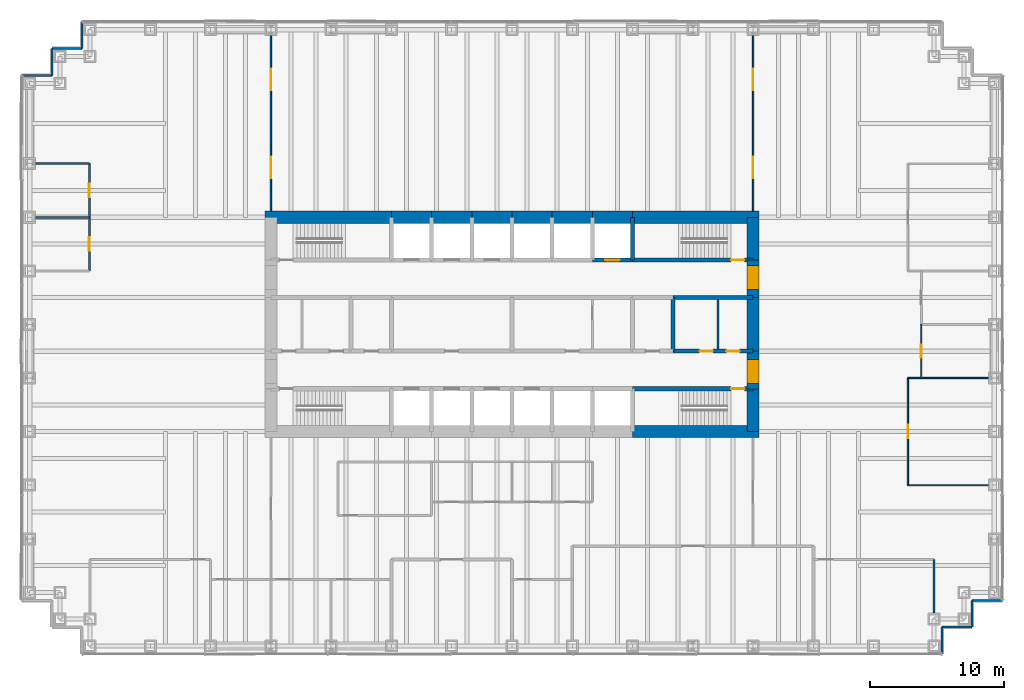
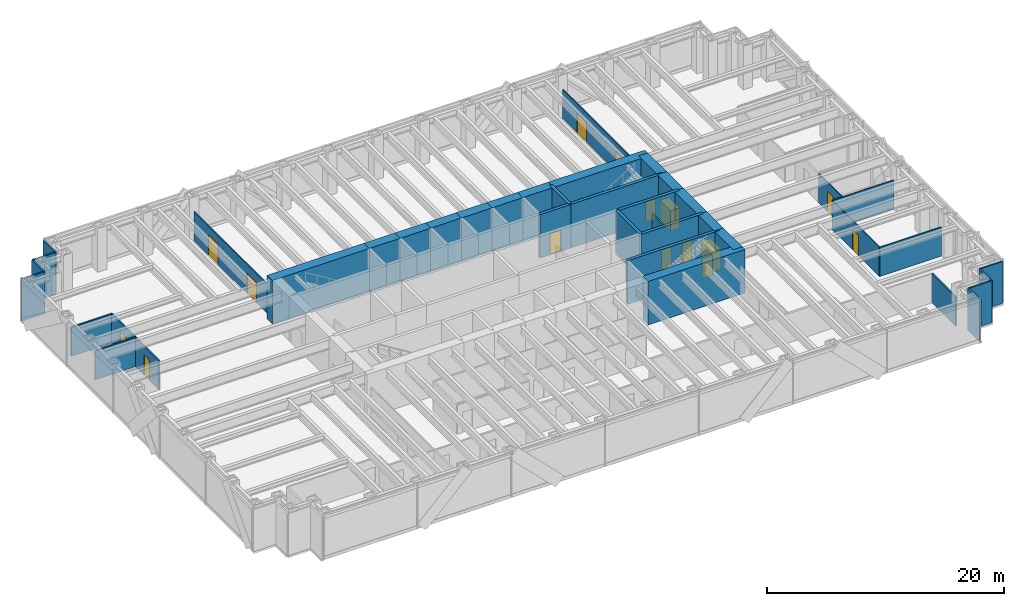
# One storey, part 11 of 13: 40 walls, 15 doors, 15 openings.
"""IFC4 building model written with IfcOpenShell, lengths in metres."""

import ifcopenshell
import ifcopenshell.guid

model = None  # the IFC model being written
_history = None  # IfcOwnerHistory: only IFC2X3 demands one
_inside = {}  # id of a spatial element -> (the spatial element, [elements in it])
_under = {}  # id of a project, library or spatial element -> (it, [spatial elements below it])
_declared = {}  # id of a project -> (the project, [libraries it declares])
_typed = {}  # id of a type object -> (the type object, [elements of that type])
_made_of = {}  # id of a material, layer set ... -> (it, [elements and type objects made of it])


def new_model(schema):
    """Start an empty IFC model of exactly this schema.

    Asked for "IFC4X3", IfcOpenShell would pick the latest addendum, in which some entities
    have other attributes; the version numbers below select the first issue.
    IFC2X3 requires an IfcOwnerHistory on every rooted entity: one is made here for all.
    """
    global model, _history
    if schema == "IFC4X3":
        model = ifcopenshell.file(schema_version=(4, 3, 0, 0))
    else:
        model = ifcopenshell.file(schema=schema)
    _inside.clear()
    _under.clear()
    _declared.clear()
    _typed.clear()
    _made_of.clear()
    _history = None
    if model.schema == "IFC2X3":
        org = make("IfcOrganization", Name="unknown")
        user = make(
            "IfcPersonAndOrganization",
            ThePerson=make("IfcPerson", FamilyName="unknown"),
            TheOrganization=org,
        )
        app = make(
            "IfcApplication",
            ApplicationDeveloper=org,
            Version="unknown",
            ApplicationFullName="unknown",
            ApplicationIdentifier="unknown",
        )
        _history = make(
            "IfcOwnerHistory",
            OwningUser=user,
            OwningApplication=app,
            ChangeAction="ADDED",
            CreationDate=0,
        )
    return model


def make(cls, **values):
    """One entity of the class cls with the attributes given. An attribute that is None is left unset."""
    return model.create_entity(
        cls, **{name: value for name, value in values.items() if value is not None}
    )


def rooted(cls, **values):
    """An entity with a GlobalId (a new one), such as an element, a storey or a relation."""
    return make(cls, GlobalId=ifcopenshell.guid.new(), OwnerHistory=_history, **values)


def si_unit(unit_type, name, prefix=None):
    """IfcSIUnit, for example si_unit("LENGTHUNIT", "METRE", prefix="MILLI")."""
    return make("IfcSIUnit", UnitType=unit_type, Prefix=prefix, Name=name)


def assignment(units):
    """IfcUnitAssignment: the units of a project."""
    return None if units is None else make("IfcUnitAssignment", Units=units)


def point(xyz):
    """IfcCartesianPoint."""
    return None if xyz is None else make("IfcCartesianPoint", Coordinates=xyz)


def direction(xyz):
    """IfcDirection."""
    return None if xyz is None else make("IfcDirection", DirectionRatios=xyz)


def frame(location, z_axis=None, x_axis=None):
    """IfcAxis2Placement3D, a coordinate frame: its origin and axes. An axis left out is left unset."""
    return make(
        "IfcAxis2Placement3D",
        Location=point(location),
        Axis=direction(z_axis),
        RefDirection=direction(x_axis),
    )


def frame_2d(location, x_axis=None):
    """IfcAxis2Placement2D, a coordinate frame in the plane: its origin and x axis."""
    return make(
        "IfcAxis2Placement2D", Location=point(location), RefDirection=direction(x_axis)
    )


def origin():
    """The frame at (0, 0, 0) with its axes left unset."""
    return frame((0.0, 0.0, 0.0))


def place(relative_to, where):
    """IfcLocalPlacement: puts the frame where relative to a parent placement (None: the world)."""
    return make(
        "IfcLocalPlacement", PlacementRelTo=relative_to, RelativePlacement=where
    )


def context(
    kind, dimensions, precision=None, world=None, true_north=None, identifier=None
):
    """IfcGeometricRepresentationContext, for example the 3D "Model" context."""
    return make(
        "IfcGeometricRepresentationContext",
        ContextIdentifier=identifier,
        ContextType=kind,
        CoordinateSpaceDimension=dimensions,
        Precision=precision,
        WorldCoordinateSystem=world,
        TrueNorth=true_north,
    )


def subcontext(parent, identifier, kind, view, scale=None):
    """IfcGeometricRepresentationSubContext, for example "Body" below "Model"."""
    return make(
        "IfcGeometricRepresentationSubContext",
        ContextIdentifier=identifier,
        ContextType=kind,
        ParentContext=parent,
        TargetScale=scale,
        TargetView=view,
    )


def project(units=None, contexts=None):
    """IfcProject with its units and contexts."""
    return rooted(
        "IfcProject",
        Name="project",
        RepresentationContexts=contexts,
        UnitsInContext=assignment(units),
    )


def spatial(cls, under=None, at=None, **own):
    """A site, building, storey or space (cls), placed at a placement, below another one or the project."""
    s = rooted(cls, ObjectPlacement=at, **own)
    if under is not None:
        _under.setdefault(under.id(), (under, []))[1].append(s)
    return s


def profile(cls, at=None, kind="AREA", **sizes):
    """A parametric profile (cls). Its sizes go by their IFC names, for example OverallWidth=200.0."""
    return make(cls, ProfileType=kind, Position=at, **sizes)


def rectangle(**sizes):
    """IfcRectangleProfileDef."""
    return profile("IfcRectangleProfileDef", **sizes)


def extrude(swept, where, along, depth):
    """IfcExtrudedAreaSolid: the profile swept, set in the frame where, extruded along a direction by depth."""
    return make(
        "IfcExtrudedAreaSolid",
        SweptArea=swept,
        Position=where,
        ExtrudedDirection=direction(along),
        Depth=depth,
    )


def shape(context_of_items, identifier, shape_type, items):
    """IfcShapeRepresentation: the items that make up one representation, for example the "Body"."""
    return make(
        "IfcShapeRepresentation",
        ContextOfItems=context_of_items,
        RepresentationIdentifier=identifier,
        RepresentationType=shape_type,
        Items=items,
    )


def material(Name=None, Category=None):
    """IfcMaterial."""
    return make("IfcMaterial", Name=Name, Category=Category)


def layer(
    of_material, thickness, ventilated=None, Name=None, Category=None, Priority=None
):
    """IfcMaterialLayer: one layer of a wall or slab, of a material (None: an air gap)."""
    return make(
        "IfcMaterialLayer",
        Material=of_material,
        LayerThickness=thickness,
        IsVentilated=ventilated,
        Name=Name,
        Category=Category,
        Priority=Priority,
    )


def layer_set(layers, Name=None):
    """IfcMaterialLayerSet."""
    return make("IfcMaterialLayerSet", MaterialLayers=layers, LayerSetName=Name)


def made_of(thing, what):
    """Note that an element or type object is made of a material, layer set ...; save() writes the relation."""
    if what is not None:
        _made_of.setdefault(what.id(), (what, []))[1].append(thing)
    return thing


def type_object(cls, material=None, **own):
    """A type object (cls), such as IfcWallType, which elements share."""
    return made_of(rooted(cls, **own), material)


def element(
    cls,
    number,
    at=None,
    inside=None,
    cuts=None,
    type_object=None,
    material=None,
    context=None,
    identifier="Body",
    shape_type=None,
    held_by="IfcProductDefinitionShape",
    body=None,
    shapes=None,
    **own,
):
    """One element of the class cls, such as IfcWall. Its Tag is "e" and its number.

    at: its placement. inside: the storey or other place that contains it. cuts: it is an
    opening in that element (IfcRelVoidsElement). A single representation is given by context,
    identifier, shape_type and body (its items); several are given by shapes. held_by: the class
    of the entity that holds the representations. save() writes the other relations.
    """
    e = rooted(cls, Tag="e%d" % number, ObjectPlacement=at, **own)
    if body is not None:
        shapes = [shape(context, identifier, shape_type, body)]
    if shapes is not None:
        e.Representation = make(held_by, Representations=shapes)
    if inside is not None:
        _inside.setdefault(inside.id(), (inside, []))[1].append(e)
    if cuts is not None:
        rooted(
            "IfcRelVoidsElement", RelatingBuildingElement=cuts, RelatedOpeningElement=e
        )
    if type_object is not None:
        _typed.setdefault(type_object.id(), (type_object, []))[1].append(e)
    return made_of(e, material)


def fill(opening, filler):
    """IfcRelFillsElement: the door or window that sits in an opening."""
    return rooted(
        "IfcRelFillsElement",
        RelatingOpeningElement=opening,
        RelatedBuildingElement=filler,
    )


def aggregate(whole, parts):
    """IfcRelAggregates: a whole, such as a stair, and the parts it consists of."""
    return rooted("IfcRelAggregates", RelatingObject=whole, RelatedObjects=parts)


def save(model, path):
    """Write the relations noted so far, then the file.

    IfcRelAggregates (storeys below a building ...), IfcRelContainedInSpatialStructure (elements
    in a storey), IfcRelDefinesByType, IfcRelAssociatesMaterial and IfcRelDeclares: one each for
    every whole, place, type object, material and project.
    """
    for whole, parts in _under.values():
        aggregate(whole, parts)
    for where, things in _inside.values():
        rooted(
            "IfcRelContainedInSpatialStructure",
            RelatedElements=things,
            RelatingStructure=where,
        )
    for kind, things in _typed.values():
        rooted("IfcRelDefinesByType", RelatedObjects=things, RelatingType=kind)
    for what, things in _made_of.values():
        rooted("IfcRelAssociatesMaterial", RelatedObjects=things, RelatingMaterial=what)
    for by, libraries in _declared.values():
        rooted("IfcRelDeclares", RelatingContext=by, RelatedDefinitions=libraries)
    model.write(path)


model = new_model("IFC4")

# Units and contexts
model_context = context("Model", 3, precision=1e-05, world=origin(), true_north=direction((0.0, 1.0)))
body_context = subcontext(model_context, "Body", "Model", "MODEL_VIEW")
ifc_project = project(units=[si_unit("LENGTHUNIT", "METRE"), si_unit("AREAUNIT", "SQUARE_METRE"), si_unit("VOLUMEUNIT", "CUBIC_METRE"), si_unit("PLANEANGLEUNIT", "RADIAN"), si_unit("MASSUNIT", "GRAM", prefix="KILO")], contexts=[model_context])

# Site, building, storey
site_placement = place(None, origin())
site = spatial("IfcSite", under=ifc_project, at=site_placement, CompositionType="ELEMENT")
building_placement = place(site_placement, origin())
building = spatial("IfcBuilding", under=site, at=building_placement, Name="Rheinbord Bourse Tower", CompositionType="ELEMENT")
storey_placement = place(building_placement, frame((0.0, 0.0, 41.0)))
storey = spatial("IfcBuildingStorey", under=building, at=storey_placement, Name="L08", CompositionType="ELEMENT", Elevation=41.0)

# Wall, opening, door
ifc_material_1 = material(Name="Concrete C50/60", Category="concrete")
ifc_layer_1 = layer(ifc_material_1, 0.300048828125)
ifc_layer_set_1 = layer_set([ifc_layer_1], Name="CORE INNER WALL 300")
wall_type_1 = type_object("IfcWallType", Name="CORE INNER WALL 300", PredefinedType="SOLIDWALL", material=ifc_layer_set_1)
wall_1_placement = place(storey_placement, frame((45.0, 19.199951171875, 0.0), z_axis=(0.0, 0.0, 1.0), x_axis=(1.0, 0.0, 0.0)))
wall_1 = element("IfcWall", 1, at=wall_1_placement, inside=storey, type_object=wall_type_1, Name="Core wall A8 L08", PredefinedType="SOLIDWALL", context=body_context, shape_type="SweptSolid", body=[
    extrude(rectangle(XDim=9.0, YDim=0.300048828125, at=frame_2d((4.5, 0.0))), origin(), (0.0, 0.0, 1.0), 4.5),
])
opening_1_placement = place(wall_1_placement, frame((7.35009765625, 0.0, 0.0)))
opening_1 = element("IfcOpeningElement", 2, at=opening_1_placement, cuts=wall_1, Name="Opening 0830", PredefinedType="OPENING", context=body_context, shape_type="SweptSolid", body=[
    extrude(rectangle(XDim=1.0, YDim=2.10009765625, at=frame_2d((0.5, 1.050048828125))), frame((0.0, 0.159912109375, 0.0), z_axis=(0.0, -1.0, 0.0), x_axis=(1.0, 0.0, 0.0)), (0.0, 0.0, 1.0), 0.320068359375),
])
ifc_material_2 = material(Name="Steel door", Category="steel")
door_type_1 = type_object("IfcDoorType", Name="DOOR 1000 EI30", OperationType="SINGLE_SWING_LEFT", PredefinedType="DOOR", material=ifc_material_2)
door_1_placement = place(opening_1_placement, origin())
door_1 = element("IfcDoor", 3, at=door_1_placement, inside=storey, type_object=door_type_1, Name="Stair door ST3 L08", OperationType="SINGLE_SWING_RIGHT", OverallHeight=2.10009765625, OverallWidth=1.0, PredefinedType="DOOR", context=body_context, shape_type="SweptSolid", body=[
    extrude(rectangle(XDim=1.0, YDim=2.10009765625, at=frame_2d((0.5, 1.050048828125))), frame((0.0, 0.02490234375, 0.0), z_axis=(0.0, -1.0, 0.0), x_axis=(1.0, 0.0, 0.0)), (0.0, 0.0, 1.0), 0.050048828125),
])
fill(opening_1, door_1)

wall_2_placement = place(storey_placement, frame((42.0, 28.800048828125, 0.0), z_axis=(0.0, 0.0, 1.0), x_axis=(1.0, 0.0, 0.0)))
wall_2 = element("IfcWall", 4, at=wall_2_placement, inside=storey, type_object=wall_type_1, Name="Core wall B7 L08", PredefinedType="SOLIDWALL", context=body_context, shape_type="SweptSolid", body=[
    extrude(rectangle(XDim=3.0, YDim=0.300048828125, at=frame_2d((1.5, 0.0))), origin(), (0.0, 0.0, 1.0), 4.5),
])
opening_2_placement = place(wall_2_placement, frame((0.949951171875, 0.0, 0.0)))
opening_2 = element("IfcOpeningElement", 5, at=opening_2_placement, cuts=wall_2, Name="Opening FL2", PredefinedType="OPENING", context=body_context, shape_type="SweptSolid", body=[
    extrude(rectangle(XDim=1.10009765625, YDim=2.199951171875, at=frame_2d((0.550048828125, 1.10009765625))), frame((0.0, 0.159912109375, 0.0), z_axis=(0.0, -1.0, 0.0), x_axis=(1.0, 0.0, 0.0)), (0.0, 0.0, 1.0), 0.320068359375),
])
ifc_material_3 = material(Name="Steel landing door", Category="steel")
door_type_2 = type_object("IfcDoorType", Name="LIFT LANDING DOOR 1100", OperationType="DOUBLE_DOOR_SLIDING", PredefinedType="USERDEFINED", material=ifc_material_3)
door_2_placement = place(opening_2_placement, origin())
door_2 = element("IfcDoor", 6, at=door_2_placement, inside=storey, type_object=door_type_2, Name="Lift landing door FL2 L08", ObjectType="LIFT LANDING DOOR", OperationType="DOUBLE_DOOR_SLIDING", OverallHeight=2.199951171875, OverallWidth=1.10009765625, PredefinedType="USERDEFINED", context=body_context, shape_type="SweptSolid", body=[
    extrude(rectangle(XDim=1.10009765625, YDim=2.199951171875, at=frame_2d((0.550048828125, 1.10009765625))), frame((0.0, 0.02490234375, 0.0), z_axis=(0.0, -1.0, 0.0), x_axis=(1.0, 0.0, 0.0)), (0.0, 0.0, 1.0), 0.050048828125),
])
fill(opening_2, door_2)

wall_3_placement = place(storey_placement, frame((45.0, 28.800048828125, 0.0), z_axis=(0.0, 0.0, 1.0), x_axis=(1.0, 0.0, 0.0)))
wall_3 = element("IfcWall", 7, at=wall_3_placement, inside=storey, type_object=wall_type_1, Name="Core wall B8 L08", PredefinedType="SOLIDWALL", context=body_context, shape_type="SweptSolid", body=[
    extrude(rectangle(XDim=9.0, YDim=0.300048828125, at=frame_2d((4.5, 0.0))), origin(), (0.0, 0.0, 1.0), 4.5),
])
opening_3_placement = place(wall_3_placement, frame((7.35009765625, 0.0, 0.0)))
opening_3 = element("IfcOpeningElement", 8, at=opening_3_placement, cuts=wall_3, Name="Opening 0840", PredefinedType="OPENING", context=body_context, shape_type="SweptSolid", body=[
    extrude(rectangle(XDim=1.0, YDim=2.10009765625, at=frame_2d((0.5, 1.050048828125))), frame((0.0, 0.159912109375, 0.0), z_axis=(0.0, -1.0, 0.0), x_axis=(1.0, 0.0, 0.0)), (0.0, 0.0, 1.0), 0.320068359375),
])
door_3_placement = place(opening_3_placement, origin())
door_3 = element("IfcDoor", 9, at=door_3_placement, inside=storey, type_object=door_type_1, Name="Stair door ST4 L08", OperationType="SINGLE_SWING_RIGHT", OverallHeight=2.10009765625, OverallWidth=1.0, PredefinedType="DOOR", context=body_context, shape_type="SweptSolid", body=[
    extrude(rectangle(XDim=1.0, YDim=2.10009765625, at=frame_2d((0.5, 1.050048828125))), frame((0.0, 0.02490234375, 0.0), z_axis=(0.0, -1.0, 0.0), x_axis=(1.0, 0.0, 0.0)), (0.0, 0.0, 1.0), 0.050048828125),
])
fill(opening_3, door_3)

# Wall, openings, doors
wall_4_placement = place(storey_placement, frame((48.0, 22.0, 0.0), z_axis=(0.0, 0.0, 1.0), x_axis=(1.0, 0.0, 0.0)))
wall_4 = element("IfcWall", 10, at=wall_4_placement, inside=storey, type_object=wall_type_1, Name="Core wall C6 L08", PredefinedType="SOLIDWALL", context=body_context, shape_type="SweptSolid", body=[
    extrude(rectangle(XDim=6.0, YDim=0.300048828125, at=frame_2d((3.0, 0.0))), origin(), (0.0, 0.0, 1.0), 4.5),
])
opening_4_placement = place(wall_4_placement, frame((2.0, 0.0, 0.0)))
opening_4 = element("IfcOpeningElement", 11, at=opening_4_placement, cuts=wall_4, Name="Opening 08R6", PredefinedType="OPENING", context=body_context, shape_type="SweptSolid", body=[
    extrude(rectangle(XDim=1.0, YDim=2.10009765625, at=frame_2d((0.5, 1.050048828125))), frame((0.0, 0.159912109375, 0.0), z_axis=(0.0, -1.0, 0.0), x_axis=(1.0, 0.0, 0.0)), (0.0, 0.0, 1.0), 0.320068359375),
])
opening_5_placement = place(wall_4_placement, frame((4.0, 0.0, 0.0)))
opening_5 = element("IfcOpeningElement", 12, at=opening_5_placement, cuts=wall_4, Name="Opening 08R10", PredefinedType="OPENING", context=body_context, shape_type="SweptSolid", body=[
    extrude(rectangle(XDim=1.0, YDim=2.10009765625, at=frame_2d((0.5, 1.050048828125))), frame((0.0, 0.159912109375, 0.0), z_axis=(0.0, -1.0, 0.0), x_axis=(1.0, 0.0, 0.0)), (0.0, 0.0, 1.0), 0.320068359375),
])
door_4_placement = place(opening_5_placement, origin())
door_4 = element("IfcDoor", 13, at=door_4_placement, inside=storey, type_object=door_type_1, Name="Cleaner's store door L08", OperationType="SINGLE_SWING_RIGHT", OverallHeight=2.10009765625, OverallWidth=1.0, PredefinedType="DOOR", context=body_context, shape_type="SweptSolid", body=[
    extrude(rectangle(XDim=1.0, YDim=2.10009765625, at=frame_2d((0.5, 1.050048828125))), frame((0.0, 0.02490234375, 0.0), z_axis=(0.0, -1.0, 0.0), x_axis=(1.0, 0.0, 0.0)), (0.0, 0.0, 1.0), 0.050048828125),
])
fill(opening_5, door_4)
ifc_material_4 = material(Name="Timber door", Category="wood")
door_type_3 = type_object("IfcDoorType", Name="DOOR 1000 WC", OperationType="SINGLE_SWING_LEFT", PredefinedType="DOOR", material=ifc_material_4)
door_5_placement = place(opening_4_placement, origin())
door_5 = element("IfcDoor", 14, at=door_5_placement, inside=storey, type_object=door_type_3, Name="WC women door L08", OperationType="SINGLE_SWING_LEFT", OverallHeight=2.10009765625, OverallWidth=1.0, PredefinedType="DOOR", context=body_context, shape_type="SweptSolid", body=[
    extrude(rectangle(XDim=1.0, YDim=2.10009765625, at=frame_2d((0.5, 1.050048828125))), frame((0.0, 0.02490234375, 0.0), z_axis=(0.0, -1.0, 0.0), x_axis=(1.0, 0.0, 0.0)), (0.0, 0.0, 1.0), 0.050048828125),
])
fill(opening_4, door_5)

# Walls
wall_5_placement = place(storey_placement, frame((48.0, 26.0, 0.0), z_axis=(0.0, 0.0, 1.0), x_axis=(1.0, 0.0, 0.0)))
element("IfcWall", 15, at=wall_5_placement, inside=storey, type_object=wall_type_1, Name="Core wall D6 L08", PredefinedType="SOLIDWALL", context=body_context, shape_type="SweptSolid", body=[
    extrude(rectangle(XDim=6.0, YDim=0.300048828125, at=frame_2d((3.0, 0.0))), origin(), (0.0, 0.0, 1.0), 4.5),
])
wall_6_placement = place(storey_placement, frame((45.0, 28.800048828125, 0.0), z_axis=(0.0, 0.0, 1.0), x_axis=(0.0, 1.0, 0.0)))
element("IfcWall", 16, at=wall_6_placement, inside=storey, type_object=wall_type_1, Name="Core wall NX45 L08", PredefinedType="SOLIDWALL", context=body_context, shape_type="SweptSolid", body=[
    extrude(rectangle(XDim=3.199951171875, YDim=0.300048828125, at=frame_2d((1.60009765625, 0.0))), origin(), (0.0, 0.0, 1.0), 4.5),
])
wall_7_placement = place(storey_placement, frame((48.0, 22.0, 0.0), z_axis=(0.0, 0.0, 1.0), x_axis=(0.0, 1.0, 0.0)))
element("IfcWall", 17, at=wall_7_placement, inside=storey, type_object=wall_type_1, Name="Core wall MX48 L08", PredefinedType="SOLIDWALL", context=body_context, shape_type="SweptSolid", body=[
    extrude(rectangle(XDim=4.0, YDim=0.300048828125, at=frame_2d((2.0, 0.0))), origin(), (0.0, 0.0, 1.0), 4.5),
])
ifc_material_5 = material(Name="Gypsum board fire partition", Category="gypsum board")
ifc_layer_2 = layer(ifc_material_5, 0.14990234375)
ifc_layer_set_2 = layer_set([ifc_layer_2], Name="CORE PARTITION 150 EI30")
wall_type_2 = type_object("IfcWallType", Name="CORE PARTITION 150 EI30", PredefinedType="PARTITIONING", material=ifc_layer_set_2)
wall_8_placement = place(storey_placement, frame((51.375, 22.14990234375, 0.0), z_axis=(0.0, 0.0, 1.0), x_axis=(0.0, 1.0, 0.0)))
element("IfcWall", 18, at=wall_8_placement, inside=storey, type_object=wall_type_2, Name="Core partition L08-3", PredefinedType="PARTITIONING", context=body_context, shape_type="SweptSolid", body=[
    extrude(rectangle(XDim=3.7001953125, YDim=0.14990234375, at=frame_2d((1.85009765625, 0.0))), origin(), (0.0, 0.0, 1.0), 3.0),
])
ifc_material_6 = material(Name="Concrete C50/60", Category="concrete")
ifc_layer_3 = layer(ifc_material_6, 0.89990234375)
ifc_layer_set_3 = layer_set([ifc_layer_3], Name="CORE WALL 900")
wall_type_3 = type_object("IfcWallType", Name="CORE WALL 900", PredefinedType="SHEAR", material=ifc_layer_set_3)
for number, where, z_axis, x_axis, name in (
    (19, (45.0, 16.0, 0.0), (0.0, 0.0, 1.0), (1.0, 0.0, 0.0), "Core wall S8 L08"),
    (20, (54.449951171875, 32.0, 0.0), (0.0, 0.0, 1.0), (-1.0, 0.0, 0.0), "Core wall N1 L08"),
):
    element("IfcWall", number, at=place(storey_placement, frame(where, z_axis=z_axis, x_axis=x_axis)), inside=storey, type_object=wall_type_3, Name=name, PredefinedType="SHEAR", context=body_context, shape_type="SweptSolid", body=[
        extrude(rectangle(XDim=9.449951171875, YDim=0.89990234375, at=frame_2d((4.72509765625, 0.0))), origin(), (0.0, 0.0, 1.0), 4.5),
    ])
for number, where, z_axis, x_axis, name in (
    (21, (45.0, 32.0, 0.0), (0.0, 0.0, 1.0), (-1.0, 0.0, 0.0), "Core wall N2 L08"),
    (22, (42.0, 32.0, 0.0), (0.0, 0.0, 1.0), (-1.0, 0.0, 0.0), "Core wall N3 L08"),
    (23, (39.0, 32.0, 0.0), (0.0, 0.0, 1.0), (-1.0, 0.0, 0.0), "Core wall N4 L08"),
    (24, (36.0, 32.0, 0.0), (0.0, 0.0, 1.0), (-1.0, 0.0, 0.0), "Core wall N5 L08"),
    (25, (33.0, 32.0, 0.0), (0.0, 0.0, 1.0), (-1.0, 0.0, 0.0), "Core wall N6 L08"),
    (26, (30.0, 32.0, 0.0), (0.0, 0.0, 1.0), (-1.0, 0.0, 0.0), "Core wall N7 L08"),
):
    element("IfcWall", number, at=place(storey_placement, frame(where, z_axis=z_axis, x_axis=x_axis)), inside=storey, type_object=wall_type_3, Name=name, PredefinedType="SHEAR", context=body_context, shape_type="SweptSolid", body=[
        extrude(rectangle(XDim=3.0, YDim=0.89990234375, at=frame_2d((1.5, 0.0))), origin(), (0.0, 0.0, 1.0), 4.5),
    ])
wall_9_placement = place(storey_placement, frame((27.0, 32.0, 0.0), z_axis=(0.0, 0.0, 1.0), x_axis=(-1.0, 0.0, 0.0)))
element("IfcWall", 27, at=wall_9_placement, inside=storey, type_object=wall_type_3, Name="Core wall N8 L08", PredefinedType="SHEAR", context=body_context, shape_type="SweptSolid", body=[
    extrude(rectangle(XDim=9.449951171875, YDim=0.89990234375, at=frame_2d((4.72509765625, 0.0))), origin(), (0.0, 0.0, 1.0), 4.5),
])
wall_10_placement = place(storey_placement, frame((54.0, 16.0, 0.0), z_axis=(0.0, 0.0, 1.0), x_axis=(0.0, 1.0, 0.0)))
element("IfcWall", 28, at=wall_10_placement, inside=storey, type_object=wall_type_3, Name="Core wall E1 L08", PredefinedType="SHEAR", context=body_context, shape_type="SweptSolid", body=[
    extrude(rectangle(XDim=3.199951171875, YDim=0.89990234375, at=frame_2d((1.60009765625, 0.0))), origin(), (0.0, 0.0, 1.0), 4.5),
])

# Wall, opening, door
wall_11_placement = place(storey_placement, frame((54.0, 19.199951171875, 0.0), z_axis=(0.0, 0.0, 1.0), x_axis=(0.0, 1.0, 0.0)))
wall_11 = element("IfcWall", 29, at=wall_11_placement, inside=storey, type_object=wall_type_3, Name="Core wall E2 L08", PredefinedType="SHEAR", context=body_context, shape_type="SweptSolid", body=[
    extrude(rectangle(XDim=2.800048828125, YDim=0.89990234375, at=frame_2d((1.39990234375, 0.0))), origin(), (0.0, 0.0, 1.0), 4.5),
])
opening_6_placement = place(wall_11_placement, frame((0.39990234375, 0.0, 0.0)))
opening_6 = element("IfcOpeningElement", 30, at=opening_6_placement, cuts=wall_11, Name="Opening 08L3", PredefinedType="OPENING", context=body_context, shape_type="SweptSolid", body=[
    extrude(rectangle(XDim=1.800048828125, YDim=2.10009765625, at=frame_2d((0.89990234375, 1.050048828125))), frame((0.0, 0.4599609375, 0.0), z_axis=(0.0, -1.0, 0.0), x_axis=(1.0, 0.0, 0.0)), (0.0, 0.0, 1.0), 0.919921875),
])
ifc_material_7 = material(Name="Steel door", Category="steel")
door_type_4 = type_object("IfcDoorType", Name="DOOR 1800 EI30 DOUBLE", OperationType="DOUBLE_DOOR_DOUBLE_SWING", PredefinedType="DOOR", material=ifc_material_7)
door_6_placement = place(opening_6_placement, origin())
door_6 = element("IfcDoor", 31, at=door_6_placement, inside=storey, type_object=door_type_4, Name="Lobby door 3 L08", OperationType="SINGLE_SWING_LEFT", OverallHeight=2.10009765625, OverallWidth=1.800048828125, PredefinedType="DOOR", context=body_context, shape_type="SweptSolid", body=[
    extrude(rectangle(XDim=1.800048828125, YDim=2.10009765625, at=frame_2d((0.89990234375, 1.050048828125))), frame((0.0, 0.44970703125, 0.0), z_axis=(0.0, -1.0, 0.0), x_axis=(1.0, 0.0, 0.0)), (0.0, 0.0, 1.0), 0.8994140625),
])
fill(opening_6, door_6)

# Wall
wall_12_placement = place(storey_placement, frame((54.0, 22.0, 0.0), z_axis=(0.0, 0.0, 1.0), x_axis=(0.0, 1.0, 0.0)))
element("IfcWall", 32, at=wall_12_placement, inside=storey, type_object=wall_type_3, Name="Core wall E3 L08", PredefinedType="SHEAR", context=body_context, shape_type="SweptSolid", body=[
    extrude(rectangle(XDim=4.0, YDim=0.89990234375, at=frame_2d((2.0, 0.0))), origin(), (0.0, 0.0, 1.0), 4.5),
])

# Wall, opening, door
wall_13_placement = place(storey_placement, frame((54.0, 26.0, 0.0), z_axis=(0.0, 0.0, 1.0), x_axis=(0.0, 1.0, 0.0)))
wall_13 = element("IfcWall", 33, at=wall_13_placement, inside=storey, type_object=wall_type_3, Name="Core wall E4 L08", PredefinedType="SHEAR", context=body_context, shape_type="SweptSolid", body=[
    extrude(rectangle(XDim=2.800048828125, YDim=0.89990234375, at=frame_2d((1.39990234375, 0.0))), origin(), (0.0, 0.0, 1.0), 4.5),
])
opening_7_placement = place(wall_13_placement, frame((0.60009765625, 0.0, 0.0)))
opening_7 = element("IfcOpeningElement", 34, at=opening_7_placement, cuts=wall_13, Name="Opening 08L4", PredefinedType="OPENING", context=body_context, shape_type="SweptSolid", body=[
    extrude(rectangle(XDim=1.800048828125, YDim=2.10009765625, at=frame_2d((0.89990234375, 1.050048828125))), frame((0.0, 0.4599609375, 0.0), z_axis=(0.0, -1.0, 0.0), x_axis=(1.0, 0.0, 0.0)), (0.0, 0.0, 1.0), 0.919921875),
])
door_7_placement = place(opening_7_placement, origin())
door_7 = element("IfcDoor", 35, at=door_7_placement, inside=storey, type_object=door_type_4, Name="Lobby door 4 L08", OperationType="SINGLE_SWING_LEFT", OverallHeight=2.10009765625, OverallWidth=1.800048828125, PredefinedType="DOOR", context=body_context, shape_type="SweptSolid", body=[
    extrude(rectangle(XDim=1.800048828125, YDim=2.10009765625, at=frame_2d((0.89990234375, 1.050048828125))), frame((0.0, 0.44970703125, 0.0), z_axis=(0.0, -1.0, 0.0), x_axis=(1.0, 0.0, 0.0)), (0.0, 0.0, 1.0), 0.8994140625),
])
fill(opening_7, door_7)

# Walls
wall_14_placement = place(storey_placement, frame((54.0, 28.800048828125, 0.0), z_axis=(0.0, 0.0, 1.0), x_axis=(0.0, 1.0, 0.0)))
element("IfcWall", 36, at=wall_14_placement, inside=storey, type_object=wall_type_3, Name="Core wall E5 L08", PredefinedType="SHEAR", context=body_context, shape_type="SweptSolid", body=[
    extrude(rectangle(XDim=3.199951171875, YDim=0.89990234375, at=frame_2d((1.60009765625, 0.0))), origin(), (0.0, 0.0, 1.0), 4.5),
])
ifc_material_8 = material(Name="Black metal rainscreen panel", Category="aluminium")
ifc_layer_4 = layer(ifc_material_8, 0.14990234375)
ifc_layer_set_4 = layer_set([ifc_layer_4], Name="CORNER PIER CLADDING 150")
wall_type_4 = type_object("IfcWallType", Name="CORNER PIER CLADDING 150", PredefinedType="ELEMENTEDWALL", material=ifc_layer_set_4)
wall_15_placement = place(storey_placement, frame((68.10009765625, -0.60009765625, 0.0), z_axis=(0.0, 0.0, 1.0), x_axis=(0.0, 1.0, 0.0)))
element("IfcWall", 37, at=wall_15_placement, inside=storey, type_object=wall_type_4, Name="Corner pier cladding L08 2", PredefinedType="ELEMENTEDWALL", context=body_context, shape_type="SweptSolid", body=[
    extrude(rectangle(XDim=2.0, YDim=0.14990234375, at=frame_2d((1.0, 0.0))), origin(), (0.0, 0.0, 1.0), 4.320068359375),
])
wall_16_placement = place(storey_placement, frame((68.10009765625, 1.39990234375, 0.0), z_axis=(0.0, 0.0, 1.0), x_axis=(1.0, 0.0, 0.0)))
element("IfcWall", 38, at=wall_16_placement, inside=storey, type_object=wall_type_4, Name="Corner pier cladding L08 3", PredefinedType="ELEMENTEDWALL", context=body_context, shape_type="SweptSolid", body=[
    extrude(rectangle(XDim=2.25, YDim=0.14990234375, at=frame_2d((1.125, 0.0))), origin(), (0.0, 0.0, 1.0), 4.320068359375),
])
wall_17_placement = place(storey_placement, frame((70.35009765625, 1.39990234375, 0.0), z_axis=(0.0, 0.0, 1.0), x_axis=(0.0, 1.0, 0.0)))
element("IfcWall", 39, at=wall_17_placement, inside=storey, type_object=wall_type_4, Name="Corner pier cladding L08 4", PredefinedType="ELEMENTEDWALL", context=body_context, shape_type="SweptSolid", body=[
    extrude(rectangle(XDim=2.0, YDim=0.14990234375, at=frame_2d((1.0, 0.0))), origin(), (0.0, 0.0, 1.0), 4.320068359375),
])
wall_18_placement = place(storey_placement, frame((70.35009765625, 3.39990234375, 0.0), z_axis=(0.0, 0.0, 1.0), x_axis=(1.0, 0.0, 0.0)))
element("IfcWall", 40, at=wall_18_placement, inside=storey, type_object=wall_type_4, Name="Corner pier cladding L08 5", PredefinedType="ELEMENTEDWALL", context=body_context, shape_type="SweptSolid", body=[
    extrude(rectangle(XDim=2.25, YDim=0.14990234375, at=frame_2d((1.125, 0.0))), origin(), (0.0, 0.0, 1.0), 4.320068359375),
])
wall_19_placement = place(storey_placement, frame((3.89990234375, 46.60009765625, 0.0), z_axis=(0.0, 0.0, 1.0), x_axis=(0.0, -1.0, 0.0)))
element("IfcWall", 41, at=wall_19_placement, inside=storey, type_object=wall_type_4, Name="Corner pier cladding L08 12", PredefinedType="ELEMENTEDWALL", context=body_context, shape_type="SweptSolid", body=[
    extrude(rectangle(XDim=2.0, YDim=0.14990234375, at=frame_2d((1.0, 0.0))), origin(), (0.0, 0.0, 1.0), 4.320068359375),
])
wall_20_placement = place(storey_placement, frame((3.89990234375, 44.60009765625, 0.0), z_axis=(0.0, 0.0, 1.0), x_axis=(-1.0, 0.0, 0.0)))
element("IfcWall", 42, at=wall_20_placement, inside=storey, type_object=wall_type_4, Name="Corner pier cladding L08 13", PredefinedType="ELEMENTEDWALL", context=body_context, shape_type="SweptSolid", body=[
    extrude(rectangle(XDim=2.25, YDim=0.14990234375, at=frame_2d((1.125, 0.0))), origin(), (0.0, 0.0, 1.0), 4.320068359375),
])
wall_21_placement = place(storey_placement, frame((1.64990234375, 44.60009765625, 0.0), z_axis=(0.0, 0.0, 1.0), x_axis=(0.0, -1.0, 0.0)))
element("IfcWall", 43, at=wall_21_placement, inside=storey, type_object=wall_type_4, Name="Corner pier cladding L08 14", PredefinedType="ELEMENTEDWALL", context=body_context, shape_type="SweptSolid", body=[
    extrude(rectangle(XDim=2.0, YDim=0.14990234375, at=frame_2d((1.0, 0.0))), origin(), (0.0, 0.0, 1.0), 4.320068359375),
])
wall_22_placement = place(storey_placement, frame((1.64990234375, 42.60009765625, 0.0), z_axis=(0.0, 0.0, 1.0), x_axis=(-1.0, 0.0, 0.0)))
element("IfcWall", 44, at=wall_22_placement, inside=storey, type_object=wall_type_4, Name="Corner pier cladding L08 15", PredefinedType="ELEMENTEDWALL", context=body_context, shape_type="SweptSolid", body=[
    extrude(rectangle(XDim=2.25, YDim=0.14990234375, at=frame_2d((1.125, 0.0))), origin(), (0.0, 0.0, 1.0), 4.320068359375),
])
ifc_material_9 = material(Name="Toughened laminated glass partition", Category="glass")
ifc_layer_5 = layer(ifc_material_9, 0.10009765625)
ifc_layer_set_5 = layer_set([ifc_layer_5], Name="GLAZED PARTITION 100")
wall_type_5 = type_object("IfcWallType", Name="GLAZED PARTITION 100", PredefinedType="PARTITIONING", material=ifc_layer_set_5)
for number, where, z_axis, x_axis, name in (
    (45, (65.550048828125, 12.0, 0.0), (0.0, 0.0, 1.0), (1.0, 0.0, 0.0), "Partition L08-09"),
    (46, (65.550048828125, 20.0, 0.0), (0.0, 0.0, 1.0), (1.0, 0.0, 0.0), "Partition L08-12"),
):
    element("IfcWall", number, at=place(storey_placement, frame(where, z_axis=z_axis, x_axis=x_axis)), inside=storey, type_object=wall_type_5, Name=name, PredefinedType="PARTITIONING", context=body_context, shape_type="SweptSolid", body=[
        extrude(rectangle(XDim=6.0, YDim=0.10009765625, at=frame_2d((3.0, 0.0))), origin(), (0.0, 0.0, 1.0), 3.0),
    ])

# Wall, openings, doors
wall_23_placement = place(storey_placement, frame((18.0, 32.449951171875, 0.0), z_axis=(0.0, 0.0, 1.0), x_axis=(0.0, 1.0, 0.0)))
wall_23 = element("IfcWall", 47, at=wall_23_placement, inside=storey, type_object=wall_type_5, Name="Partition L08-25", PredefinedType="PARTITIONING", context=body_context, shape_type="SweptSolid", body=[
    extrude(rectangle(XDim=13.10009765625, YDim=0.10009765625, at=frame_2d((6.550048828125, 0.0))), origin(), (0.0, 0.0, 1.0), 3.0),
])
opening_8_placement = place(wall_23_placement, frame((2.47509765625, 0.0, 0.0)))
opening_8 = element("IfcOpeningElement", 48, at=opening_8_placement, cuts=wall_23, Name="Opening 08D21", PredefinedType="OPENING", context=body_context, shape_type="SweptSolid", body=[
    extrude(rectangle(XDim=1.60009765625, YDim=2.10009765625, at=frame_2d((0.800048828125, 1.050048828125))), frame((0.0, 0.06005859375, 0.0), z_axis=(0.0, -1.0, 0.0), x_axis=(1.0, 0.0, 0.0)), (0.0, 0.0, 1.0), 0.1201171875),
])
opening_9_placement = place(wall_23_placement, frame((9.02490234375, 0.0, 0.0)))
opening_9 = element("IfcOpeningElement", 49, at=opening_9_placement, cuts=wall_23, Name="Opening 08D22", PredefinedType="OPENING", context=body_context, shape_type="SweptSolid", body=[
    extrude(rectangle(XDim=1.60009765625, YDim=2.10009765625, at=frame_2d((0.800048828125, 1.050048828125))), frame((0.0, 0.06005859375, 0.0), z_axis=(0.0, -1.0, 0.0), x_axis=(1.0, 0.0, 0.0)), (0.0, 0.0, 1.0), 0.1201171875),
])
ifc_material_10 = material(Name="Timber door", Category="wood")
door_type_5 = type_object("IfcDoorType", Name="DOUBLE ROOM DOOR 1600", OperationType="DOUBLE_DOOR_DOUBLE_SWING", PredefinedType="DOOR", material=ifc_material_10)
door_8_placement = place(opening_8_placement, origin())
door_8 = element("IfcDoor", 50, at=door_8_placement, inside=storey, type_object=door_type_5, Name="Open area door L08", OperationType="SINGLE_SWING_LEFT", OverallHeight=2.10009765625, OverallWidth=1.60009765625, PredefinedType="DOOR", context=body_context, shape_type="SweptSolid", body=[
    extrude(rectangle(XDim=1.60009765625, YDim=2.10009765625, at=frame_2d((0.800048828125, 1.050048828125))), frame((0.0, 0.02490234375, 0.0), z_axis=(0.0, -1.0, 0.0), x_axis=(1.0, 0.0, 0.0)), (0.0, 0.0, 1.0), 0.050048828125),
])
fill(opening_8, door_8)
door_9_placement = place(opening_9_placement, origin())
door_9 = element("IfcDoor", 51, at=door_9_placement, inside=storey, type_object=door_type_5, Name="Open area door L08", OperationType="SINGLE_SWING_LEFT", OverallHeight=2.10009765625, OverallWidth=1.60009765625, PredefinedType="DOOR", context=body_context, shape_type="SweptSolid", body=[
    extrude(rectangle(XDim=1.60009765625, YDim=2.10009765625, at=frame_2d((0.800048828125, 1.050048828125))), frame((0.0, 0.02490234375, 0.0), z_axis=(0.0, -1.0, 0.0), x_axis=(1.0, 0.0, 0.0)), (0.0, 0.0, 1.0), 0.050048828125),
])
fill(opening_9, door_9)

wall_24_placement = place(storey_placement, frame((54.0, 32.449951171875, 0.0), z_axis=(0.0, 0.0, 1.0), x_axis=(0.0, 1.0, 0.0)))
wall_24 = element("IfcWall", 52, at=wall_24_placement, inside=storey, type_object=wall_type_5, Name="Partition L08-37", PredefinedType="PARTITIONING", context=body_context, shape_type="SweptSolid", body=[
    extrude(rectangle(XDim=13.10009765625, YDim=0.10009765625, at=frame_2d((6.550048828125, 0.0))), origin(), (0.0, 0.0, 1.0), 3.0),
])
opening_10_placement = place(wall_24_placement, frame((2.47509765625, 0.0, 0.0)))
opening_10 = element("IfcOpeningElement", 53, at=opening_10_placement, cuts=wall_24, Name="Opening 08D24", PredefinedType="OPENING", context=body_context, shape_type="SweptSolid", body=[
    extrude(rectangle(XDim=1.60009765625, YDim=2.10009765625, at=frame_2d((0.800048828125, 1.050048828125))), frame((0.0, 0.06005859375, 0.0), z_axis=(0.0, -1.0, 0.0), x_axis=(1.0, 0.0, 0.0)), (0.0, 0.0, 1.0), 0.1201171875),
])
opening_11_placement = place(wall_24_placement, frame((9.02490234375, 0.0, 0.0)))
opening_11 = element("IfcOpeningElement", 54, at=opening_11_placement, cuts=wall_24, Name="Opening 08D25", PredefinedType="OPENING", context=body_context, shape_type="SweptSolid", body=[
    extrude(rectangle(XDim=1.60009765625, YDim=2.10009765625, at=frame_2d((0.800048828125, 1.050048828125))), frame((0.0, 0.06005859375, 0.0), z_axis=(0.0, -1.0, 0.0), x_axis=(1.0, 0.0, 0.0)), (0.0, 0.0, 1.0), 0.1201171875),
])
door_10_placement = place(opening_10_placement, origin())
door_10 = element("IfcDoor", 55, at=door_10_placement, inside=storey, type_object=door_type_5, Name="Open area door L08", OperationType="SINGLE_SWING_LEFT", OverallHeight=2.10009765625, OverallWidth=1.60009765625, PredefinedType="DOOR", context=body_context, shape_type="SweptSolid", body=[
    extrude(rectangle(XDim=1.60009765625, YDim=2.10009765625, at=frame_2d((0.800048828125, 1.050048828125))), frame((0.0, 0.02490234375, 0.0), z_axis=(0.0, -1.0, 0.0), x_axis=(1.0, 0.0, 0.0)), (0.0, 0.0, 1.0), 0.050048828125),
])
fill(opening_10, door_10)
door_11_placement = place(opening_11_placement, origin())
door_11 = element("IfcDoor", 56, at=door_11_placement, inside=storey, type_object=door_type_5, Name="Open area door L08", OperationType="SINGLE_SWING_LEFT", OverallHeight=2.10009765625, OverallWidth=1.60009765625, PredefinedType="DOOR", context=body_context, shape_type="SweptSolid", body=[
    extrude(rectangle(XDim=1.60009765625, YDim=2.10009765625, at=frame_2d((0.800048828125, 1.050048828125))), frame((0.0, 0.02490234375, 0.0), z_axis=(0.0, -1.0, 0.0), x_axis=(1.0, 0.0, 0.0)), (0.0, 0.0, 1.0), 0.050048828125),
])
fill(opening_11, door_11)

# Wall, opening, door
wall_25_placement = place(storey_placement, frame((65.550048828125, 12.0, 0.0), z_axis=(0.0, 0.0, 1.0), x_axis=(0.0, 1.0, 0.0)))
wall_25 = element("IfcWall", 57, at=wall_25_placement, inside=storey, type_object=wall_type_5, Name="Partition L08-39", PredefinedType="PARTITIONING", context=body_context, shape_type="SweptSolid", body=[
    extrude(rectangle(XDim=8.0, YDim=0.10009765625, at=frame_2d((4.0, 0.0))), origin(), (0.0, 0.0, 1.0), 3.0),
])
opening_12_placement = place(wall_25_placement, frame((3.5, 0.0, 0.0)))
opening_12 = element("IfcOpeningElement", 58, at=opening_12_placement, cuts=wall_25, Name="Opening 08D14", PredefinedType="OPENING", context=body_context, shape_type="SweptSolid", body=[
    extrude(rectangle(XDim=1.0, YDim=2.10009765625, at=frame_2d((0.5, 1.050048828125))), frame((0.0, 0.06005859375, 0.0), z_axis=(0.0, -1.0, 0.0), x_axis=(1.0, 0.0, 0.0)), (0.0, 0.0, 1.0), 0.1201171875),
])
ifc_material_11 = material(Name="Timber door", Category="wood")
door_type_6 = type_object("IfcDoorType", Name="ROOM DOOR 1000", OperationType="SINGLE_SWING_LEFT", PredefinedType="DOOR", material=ifc_material_11)
door_12_placement = place(opening_12_placement, origin())
door_12 = element("IfcDoor", 59, at=door_12_placement, inside=storey, type_object=door_type_6, Name="Meeting room door L08", OperationType="SINGLE_SWING_LEFT", OverallHeight=2.10009765625, OverallWidth=1.0, PredefinedType="DOOR", context=body_context, shape_type="SweptSolid", body=[
    extrude(rectangle(XDim=1.0, YDim=2.10009765625, at=frame_2d((0.5, 1.050048828125))), frame((0.0, 0.02490234375, 0.0), z_axis=(0.0, -1.0, 0.0), x_axis=(1.0, 0.0, 0.0)), (0.0, 0.0, 1.0), 0.050048828125),
])
fill(opening_12, door_12)

wall_26_placement = place(storey_placement, frame((66.550048828125, 20.0, 0.0), z_axis=(0.0, 0.0, 1.0), x_axis=(0.0, 1.0, 0.0)))
wall_26 = element("IfcWall", 60, at=wall_26_placement, inside=storey, type_object=wall_type_5, Name="Partition L08-41", PredefinedType="PARTITIONING", context=body_context, shape_type="SweptSolid", body=[
    extrude(rectangle(XDim=4.0, YDim=0.10009765625, at=frame_2d((2.0, 0.0))), origin(), (0.0, 0.0, 1.0), 3.0),
])
opening_13_placement = place(wall_26_placement, frame((1.5, 0.0, 0.0)))
opening_13 = element("IfcOpeningElement", 61, at=opening_13_placement, cuts=wall_26, Name="Opening 08D15", PredefinedType="OPENING", context=body_context, shape_type="SweptSolid", body=[
    extrude(rectangle(XDim=1.0, YDim=2.10009765625, at=frame_2d((0.5, 1.050048828125))), frame((0.0, 0.06005859375, 0.0), z_axis=(0.0, -1.0, 0.0), x_axis=(1.0, 0.0, 0.0)), (0.0, 0.0, 1.0), 0.1201171875),
])
door_13_placement = place(opening_13_placement, origin())
door_13 = element("IfcDoor", 62, at=door_13_placement, inside=storey, type_object=door_type_6, Name="Meeting room door L08", OperationType="SINGLE_SWING_LEFT", OverallHeight=2.10009765625, OverallWidth=1.0, PredefinedType="DOOR", context=body_context, shape_type="SweptSolid", body=[
    extrude(rectangle(XDim=1.0, YDim=2.10009765625, at=frame_2d((0.5, 1.050048828125))), frame((0.0, 0.02490234375, 0.0), z_axis=(0.0, -1.0, 0.0), x_axis=(1.0, 0.0, 0.0)), (0.0, 0.0, 1.0), 0.050048828125),
])
fill(opening_13, door_13)

# Walls
ifc_material_12 = material(Name="Gypsum board partition", Category="gypsum board")
ifc_layer_6 = layer(ifc_material_12, 0.14990234375)
ifc_layer_set_6 = layer_set([ifc_layer_6], Name="PARTITION 150")
wall_type_6 = type_object("IfcWallType", Name="PARTITION 150", PredefinedType="PARTITIONING", material=ifc_layer_set_6)
for number, where, z_axis, x_axis, name in (
    (63, (0.449951171875, 32.0, 0.0), (0.0, 0.0, 1.0), (1.0, 0.0, 0.0), "Partition L08-17"),
    (64, (0.449951171875, 36.0, 0.0), (0.0, 0.0, 1.0), (1.0, 0.0, 0.0), "Partition L08-18"),
):
    element("IfcWall", number, at=place(storey_placement, frame(where, z_axis=z_axis, x_axis=x_axis)), inside=storey, type_object=wall_type_6, Name=name, PredefinedType="PARTITIONING", context=body_context, shape_type="SweptSolid", body=[
        extrude(rectangle(XDim=4.0, YDim=0.14990234375, at=frame_2d((2.0, 0.0))), origin(), (0.0, 0.0, 1.0), 3.0),
    ])

# Wall, openings, doors
wall_27_placement = place(storey_placement, frame((4.449951171875, 28.0, 0.0), z_axis=(0.0, 0.0, 1.0), x_axis=(0.0, 1.0, 0.0)))
wall_27 = element("IfcWall", 65, at=wall_27_placement, inside=storey, type_object=wall_type_6, Name="Partition L08-20", PredefinedType="PARTITIONING", context=body_context, shape_type="SweptSolid", body=[
    extrude(rectangle(XDim=8.0, YDim=0.14990234375, at=frame_2d((4.0, 0.0))), origin(), (0.0, 0.0, 1.0), 3.0),
])
opening_14_placement = place(wall_27_placement, frame((1.5, 0.0, 0.0)))
opening_14 = element("IfcOpeningElement", 66, at=opening_14_placement, cuts=wall_27, Name="Opening 08D17", PredefinedType="OPENING", context=body_context, shape_type="SweptSolid", body=[
    extrude(rectangle(XDim=1.0, YDim=2.10009765625, at=frame_2d((0.5, 1.050048828125))), frame((0.0, 0.0849609375, 0.0), z_axis=(0.0, -1.0, 0.0), x_axis=(1.0, 0.0, 0.0)), (0.0, 0.0, 1.0), 0.169921875),
])
opening_15_placement = place(wall_27_placement, frame((5.5, 0.0, 0.0)))
opening_15 = element("IfcOpeningElement", 67, at=opening_15_placement, cuts=wall_27, Name="Opening 08D19", PredefinedType="OPENING", context=body_context, shape_type="SweptSolid", body=[
    extrude(rectangle(XDim=1.0, YDim=2.10009765625, at=frame_2d((0.5, 1.050048828125))), frame((0.0, 0.0849609375, 0.0), z_axis=(0.0, -1.0, 0.0), x_axis=(1.0, 0.0, 0.0)), (0.0, 0.0, 1.0), 0.169921875),
])
door_14_placement = place(opening_14_placement, origin())
door_14 = element("IfcDoor", 68, at=door_14_placement, inside=storey, type_object=door_type_6, Name="Print room door L08", OperationType="SINGLE_SWING_LEFT", OverallHeight=2.10009765625, OverallWidth=1.0, PredefinedType="DOOR", context=body_context, shape_type="SweptSolid", body=[
    extrude(rectangle(XDim=1.0, YDim=2.10009765625, at=frame_2d((0.5, 1.050048828125))), frame((0.0, 0.02490234375, 0.0), z_axis=(0.0, -1.0, 0.0), x_axis=(1.0, 0.0, 0.0)), (0.0, 0.0, 1.0), 0.050048828125),
])
fill(opening_14, door_14)
door_15_placement = place(opening_15_placement, origin())
door_15 = element("IfcDoor", 69, at=door_15_placement, inside=storey, type_object=door_type_6, Name="Store door L08", OperationType="SINGLE_SWING_RIGHT", OverallHeight=2.10009765625, OverallWidth=1.0, PredefinedType="DOOR", context=body_context, shape_type="SweptSolid", body=[
    extrude(rectangle(XDim=1.0, YDim=2.10009765625, at=frame_2d((0.5, 1.050048828125))), frame((0.0, 0.02490234375, 0.0), z_axis=(0.0, -1.0, 0.0), x_axis=(1.0, 0.0, 0.0)), (0.0, 0.0, 1.0), 0.050048828125),
])
fill(opening_15, door_15)

# Wall
wall_28_placement = place(storey_placement, frame((67.5, 2.449951171875, 0.0), z_axis=(0.0, 0.0, 1.0), x_axis=(0.0, 1.0, 0.0)))
element("IfcWall", 70, at=wall_28_placement, inside=storey, type_object=wall_type_6, Name="Partition L08-43", PredefinedType="PARTITIONING", context=body_context, shape_type="SweptSolid", body=[
    extrude(rectangle(XDim=4.0, YDim=0.14990234375, at=frame_2d((2.0, 0.0))), origin(), (0.0, 0.0, 1.0), 3.0),
])

save(model, "model.ifc")
